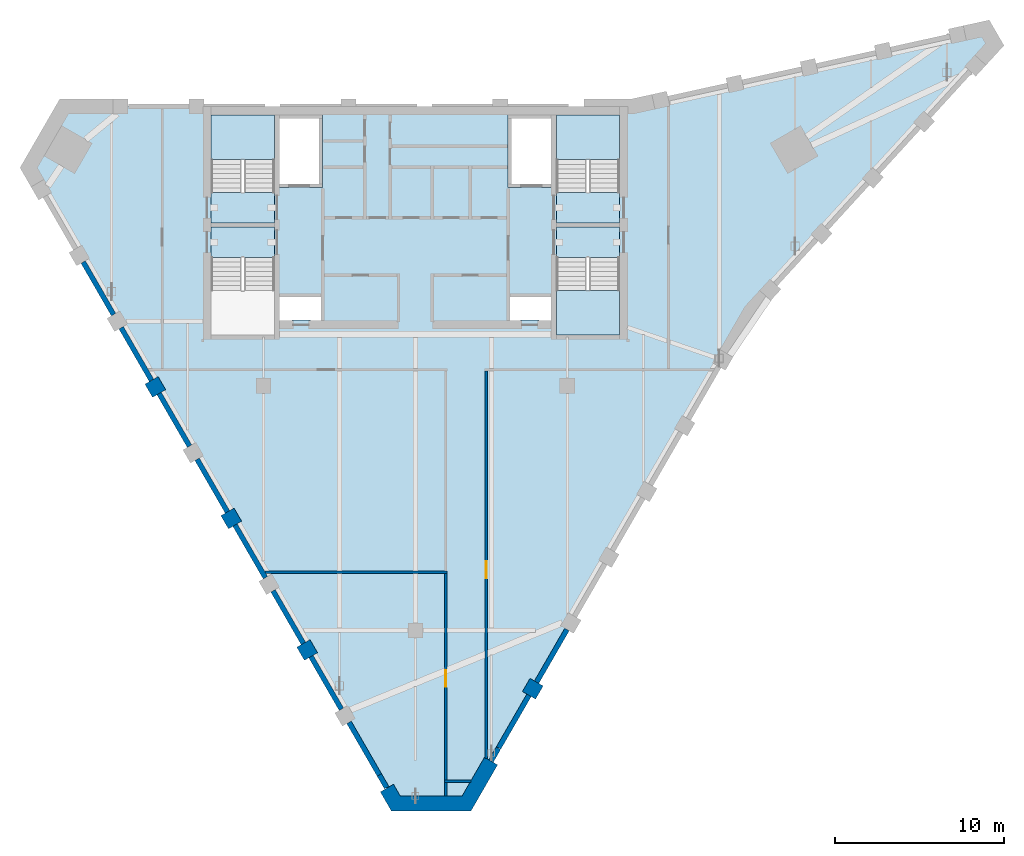
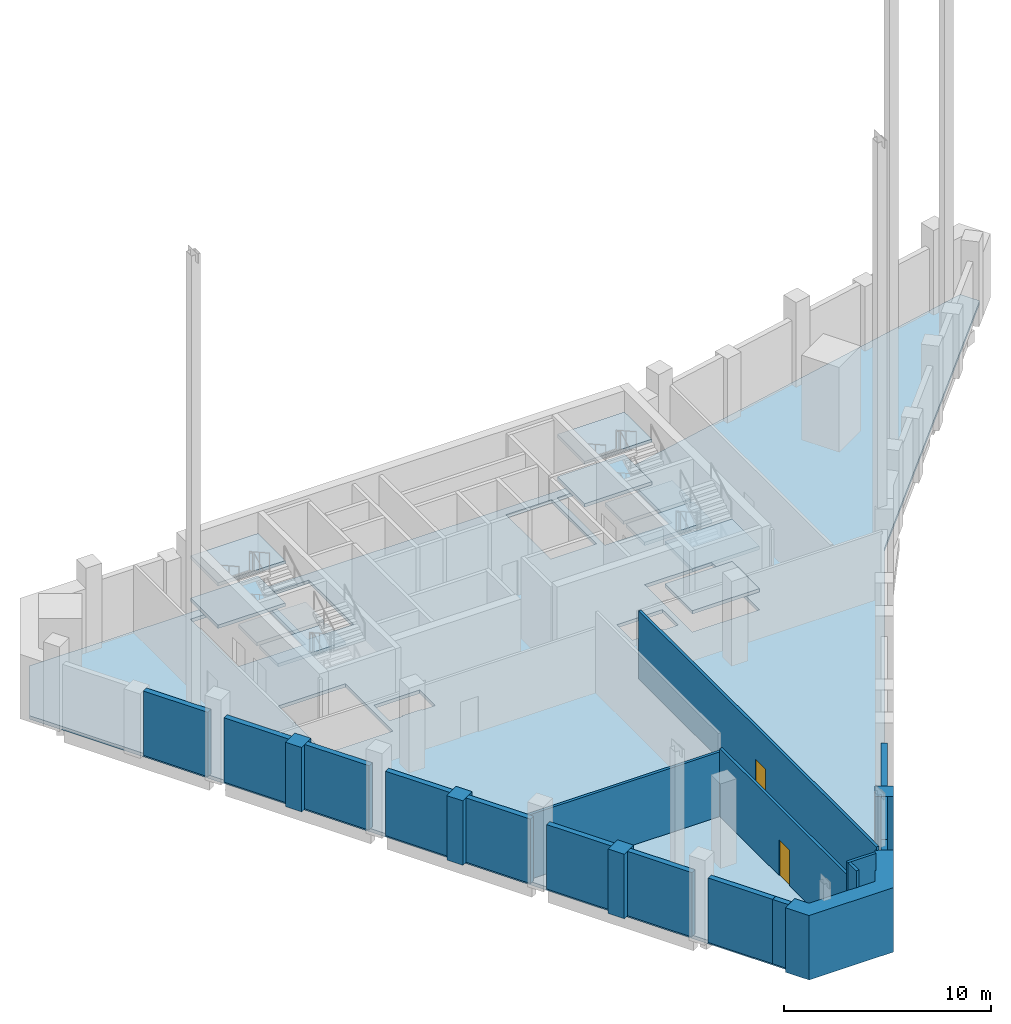
# One storey, part 4 of 11: 22 walls, 11 slabs, 2 doors, 2 openings, 4 elements without a shape of their own.
"""IFC4 building model written with IfcOpenShell, lengths in metres."""

from ifc_helpers import new_model, si_unit, direction, frame, frame_2d, origin, place, context, subcontext, project, spatial, polyline, rectangle, outline, extrude, material, layer, layer_set, type_object, element, fill, aggregate, save


model = new_model("IFC4")

# Units and contexts
model_context = context("Model", 3, precision=1e-05, world=origin(), true_north=direction((0.0, 1.0)))
body_context = subcontext(model_context, "Body", "Model", "MODEL_VIEW")
ifc_project = project(units=[si_unit("LENGTHUNIT", "METRE"), si_unit("AREAUNIT", "SQUARE_METRE"), si_unit("VOLUMEUNIT", "CUBIC_METRE"), si_unit("PLANEANGLEUNIT", "RADIAN"), si_unit("MASSUNIT", "GRAM", prefix="KILO")], contexts=[model_context])

# Site, building, storey
site_placement = place(None, origin())
site = spatial("IfcSite", under=ifc_project, at=site_placement, CompositionType="ELEMENT")
building_placement = place(site_placement, origin())
building = spatial("IfcBuilding", under=site, at=building_placement, Name="Calabash Gate Tower", CompositionType="ELEMENT")
storey_placement = place(building_placement, frame((0.0, 0.0, 310.5)))
storey = spatial("IfcBuildingStorey", under=building, at=storey_placement, Name="L73", CompositionType="ELEMENT", Elevation=310.5)

# Slab
ifc_material_1 = material(Name="Concrete C40/50", Category="concrete")
ifc_layer_1 = layer(ifc_material_1, 0.199951171875)
ifc_layer_set_1 = layer_set([ifc_layer_1], Name="Reinforced concrete floor slab 200 Concrete C40/50")
slab_type_1 = type_object("IfcSlabType", Name="Reinforced concrete floor slab 200 Concrete C40/50", PredefinedType="FLOOR", material=ifc_layer_set_1)
slab_1_placement = place(storey_placement, frame((0.0, 0.0, -0.199951171875)))
element("IfcSlab", 1, at=slab_1_placement, inside=storey, type_object=slab_type_1, Name="Floor slab L73", PredefinedType="FLOOR", context=body_context, shape_type="SweptSolid", body=[
    extrude(outline(polyline([(-20.812744140625, 19.052490234375), (12.88134765625, 19.052490234375), (33.783935546875, 23.664794921875), (34.326904296875, 22.724365234375), (19.88134765625, 6.92822265625), (3.034423828125, -22.251953125), (-1.16259765625, -22.251953125), (-22.9111328125, 15.41796875), (-20.812744140625, 19.052490234375)]), holes=[polyline([(-8.050048828125, 18.552490234375), (-8.050048828125, 14.252685546875), (-5.5, 14.252685546875), (-5.5, 18.552490234375), (-8.050048828125, 18.552490234375)]), polyline([(8.050048828125, 18.552490234375), (5.5, 18.552490234375), (5.5, 14.252685546875), (8.050048828125, 14.252685546875), (8.050048828125, 18.552490234375)]), polyline([(-8.35009765625, 18.552490234375), (-12.10009765625, 18.552490234375), (-12.10009765625, 13.95263671875), (-8.35009765625, 13.95263671875), (-8.35009765625, 18.552490234375)]), polyline([(-12.10009765625, 10.1025390625), (-12.10009765625, 5.502685546875), (-8.35009765625, 5.502685546875), (-8.35009765625, 10.1025390625), (-12.10009765625, 10.1025390625)]), polyline([(8.35009765625, 13.95263671875), (12.10009765625, 13.95263671875), (12.10009765625, 18.552490234375), (8.35009765625, 18.552490234375), (8.35009765625, 13.95263671875)]), polyline([(12.10009765625, 5.502685546875), (12.10009765625, 10.1025390625), (8.35009765625, 10.1025390625), (8.35009765625, 5.502685546875), (12.10009765625, 5.502685546875)]), polyline([(-7.324951171875, 6.3525390625), (-7.324951171875, 6.402587890625), (-6.22509765625, 6.402587890625), (-6.22509765625, 6.3525390625), (-5.5, 6.3525390625), (-5.5, 7.8525390625), (-8.050048828125, 7.8525390625), (-8.050048828125, 6.3525390625), (-7.324951171875, 6.3525390625)]), polyline([(5.5, 6.3525390625), (6.22509765625, 6.3525390625), (6.22509765625, 6.402587890625), (7.324951171875, 6.402587890625), (7.324951171875, 6.3525390625), (8.050048828125, 6.3525390625), (8.050048828125, 7.8525390625), (5.5, 7.8525390625), (5.5, 6.3525390625)])]), origin(), (0.0, 0.0, 1.0), 0.199951171875),
])

# Stair, slabs
ifc_material_2 = material(Name="Concrete C40/50", Category="concrete")
stair_type = type_object("IfcStairType", Name="Exit stair 32 risers of 156.2 mm", PredefinedType="HALF_TURN_STAIR", material=ifc_material_2)
stair_1_placement = place(storey_placement, origin())
stair_1 = element("IfcStair", 2, at=stair_1_placement, inside=storey, type_object=stair_type, Name="L73 Exit stair ST1", PredefinedType="HALF_TURN_STAIR")
ifc_material_3 = material(Name="Concrete C40/50", Category="concrete")
ifc_layer_2 = layer(ifc_material_3, 0.199951171875)
ifc_layer_set_2 = layer_set([ifc_layer_2], Name="Stair landing SL200")
slab_type_2 = type_object("IfcSlabType", Name="Stair landing SL200", PredefinedType="LANDING", material=ifc_layer_set_2)
slab_2_placement = place(storey_placement, frame((0.0, 0.0, 1.050048828125)))
slab_2 = element("IfcSlab", 3, at=slab_2_placement, type_object=slab_type_2, Name="ST1 landing 1", PredefinedType="LANDING", context=body_context, shape_type="SweptSolid", body=[
    extrude(outline(polyline([(-8.35009765625, 15.905517578125), (-8.35009765625, 18.552490234375), (-12.10009765625, 18.552490234375), (-12.10009765625, 15.905517578125), (-8.35009765625, 15.905517578125)])), origin(), (0.0, 0.0, 1.0), 0.199951171875),
])
slab_3_placement = place(storey_placement, frame((0.0, 0.0, 2.300048828125)))
slab_3 = element("IfcSlab", 4, at=slab_3_placement, type_object=slab_type_2, Name="ST1 landing 2", PredefinedType="LANDING", context=body_context, shape_type="SweptSolid", body=[
    extrude(outline(polyline([(-8.35009765625, 12.152587890625), (-8.35009765625, 13.95263671875), (-12.10009765625, 13.95263671875), (-12.10009765625, 12.152587890625), (-8.35009765625, 12.152587890625)])), origin(), (0.0, 0.0, 1.0), 0.199951171875),
])
slab_4_placement = place(storey_placement, frame((0.0, 0.0, 3.550048828125)))
slab_4 = element("IfcSlab", 5, at=slab_4_placement, type_object=slab_type_2, Name="ST1 landing 3", PredefinedType="LANDING", context=body_context, shape_type="SweptSolid", body=[
    extrude(outline(polyline([(-8.35009765625, 15.905517578125), (-8.35009765625, 18.552490234375), (-12.10009765625, 18.552490234375), (-12.10009765625, 15.905517578125), (-8.35009765625, 15.905517578125)])), origin(), (0.0, 0.0, 1.0), 0.199951171875),
])
aggregate(stair_1, [slab_2, slab_3, slab_4])

# Stair, slab
stair_2_placement = place(storey_placement, origin())
stair_2 = element("IfcStair", 6, at=stair_2_placement, inside=storey, type_object=stair_type, Name="L73 Exit stair ST2", PredefinedType="HALF_TURN_STAIR")
slab_5_placement = place(storey_placement, frame((0.0, 0.0, 2.300048828125)))
slab_5 = element("IfcSlab", 7, at=slab_5_placement, type_object=slab_type_2, Name="ST2 landing 2", PredefinedType="LANDING", context=body_context, shape_type="SweptSolid", body=[
    extrude(outline(polyline([(-12.10009765625, 11.902587890625), (-12.10009765625, 10.1025390625), (-8.35009765625, 10.1025390625), (-8.35009765625, 11.902587890625), (-12.10009765625, 11.902587890625)])), origin(), (0.0, 0.0, 1.0), 0.199951171875),
])
aggregate(stair_2, [slab_5])

# Stair, slabs
stair_3_placement = place(storey_placement, origin())
stair_3 = element("IfcStair", 8, at=stair_3_placement, inside=storey, type_object=stair_type, Name="L73 Exit stair ST3", PredefinedType="HALF_TURN_STAIR")
slab_6_placement = place(storey_placement, frame((0.0, 0.0, 1.050048828125)))
slab_6 = element("IfcSlab", 9, at=slab_6_placement, type_object=slab_type_2, Name="ST3 landing 1", PredefinedType="LANDING", context=body_context, shape_type="SweptSolid", body=[
    extrude(outline(polyline([(12.10009765625, 15.905517578125), (12.10009765625, 18.552490234375), (8.35009765625, 18.552490234375), (8.35009765625, 15.905517578125), (12.10009765625, 15.905517578125)])), origin(), (0.0, 0.0, 1.0), 0.199951171875),
])
slab_7_placement = place(storey_placement, frame((0.0, 0.0, 2.300048828125)))
slab_7 = element("IfcSlab", 10, at=slab_7_placement, type_object=slab_type_2, Name="ST3 landing 2", PredefinedType="LANDING", context=body_context, shape_type="SweptSolid", body=[
    extrude(outline(polyline([(12.10009765625, 12.152587890625), (12.10009765625, 13.95263671875), (8.35009765625, 13.95263671875), (8.35009765625, 12.152587890625), (12.10009765625, 12.152587890625)])), origin(), (0.0, 0.0, 1.0), 0.199951171875),
])
slab_8_placement = place(storey_placement, frame((0.0, 0.0, 3.550048828125)))
slab_8 = element("IfcSlab", 11, at=slab_8_placement, type_object=slab_type_2, Name="ST3 landing 3", PredefinedType="LANDING", context=body_context, shape_type="SweptSolid", body=[
    extrude(outline(polyline([(12.10009765625, 15.905517578125), (12.10009765625, 18.552490234375), (8.35009765625, 18.552490234375), (8.35009765625, 15.905517578125), (12.10009765625, 15.905517578125)])), origin(), (0.0, 0.0, 1.0), 0.199951171875),
])
aggregate(stair_3, [slab_6, slab_7, slab_8])

stair_4_placement = place(storey_placement, origin())
stair_4 = element("IfcStair", 12, at=stair_4_placement, inside=storey, type_object=stair_type, Name="L73 Exit stair ST4", PredefinedType="HALF_TURN_STAIR")
slab_9_placement = place(storey_placement, frame((0.0, 0.0, 1.050048828125)))
slab_9 = element("IfcSlab", 13, at=slab_9_placement, type_object=slab_type_2, Name="ST4 landing 1", PredefinedType="LANDING", context=body_context, shape_type="SweptSolid", body=[
    extrude(outline(polyline([(8.35009765625, 8.149658203125), (8.35009765625, 5.502685546875), (12.10009765625, 5.502685546875), (12.10009765625, 8.149658203125), (8.35009765625, 8.149658203125)])), origin(), (0.0, 0.0, 1.0), 0.199951171875),
])
slab_10_placement = place(storey_placement, frame((0.0, 0.0, 2.300048828125)))
slab_10 = element("IfcSlab", 14, at=slab_10_placement, type_object=slab_type_2, Name="ST4 landing 2", PredefinedType="LANDING", context=body_context, shape_type="SweptSolid", body=[
    extrude(outline(polyline([(8.35009765625, 11.902587890625), (8.35009765625, 10.1025390625), (12.10009765625, 10.1025390625), (12.10009765625, 11.902587890625), (8.35009765625, 11.902587890625)])), origin(), (0.0, 0.0, 1.0), 0.199951171875),
])
slab_11_placement = place(storey_placement, frame((0.0, 0.0, 3.550048828125)))
slab_11 = element("IfcSlab", 15, at=slab_11_placement, type_object=slab_type_2, Name="ST4 landing 3", PredefinedType="LANDING", context=body_context, shape_type="SweptSolid", body=[
    extrude(outline(polyline([(8.35009765625, 8.149658203125), (8.35009765625, 5.502685546875), (12.10009765625, 5.502685546875), (12.10009765625, 8.149658203125), (8.35009765625, 8.149658203125)])), origin(), (0.0, 0.0, 1.0), 0.199951171875),
])
aggregate(stair_4, [slab_9, slab_10, slab_11])

# Walls
ifc_material_4 = material(Name="Terracotta brick masonry, exposed face", Category="masonry")
ifc_layer_3 = layer(ifc_material_4, 0.89990234375)
ifc_layer_set_3 = layer_set([ifc_layer_3], Name="Brick end wall 900")
wall_type_1 = type_object("IfcWallType", Name="Brick end wall 900", PredefinedType="SOLIDWALL", material=ifc_layer_set_3)
for number, where, z_axis, x_axis, name in (
    (16, (-15.022216796875, 2.65380859375, 0.0), (0.0, 0.0, 1.0), (-0.865896406789, -0.500223362819, 0.0), "Brick pier L73 crown1.3"),
    (17, (-11.136962890625, -4.975830078125, 0.0), (0.0, 0.0, 1.0), (0.500223362819, -0.865896406789, 0.0), "Brick pier L73 crown1.5"),
):
    element("IfcWall", number, at=place(storey_placement, frame(where, z_axis=z_axis, x_axis=x_axis)), inside=storey, type_object=wall_type_1, Name=name, PredefinedType="SOLIDWALL", context=body_context, shape_type="SweptSolid", body=[
        extrude(rectangle(XDim=0.89990234375, YDim=0.89990234375, at=frame_2d((0.449951171875, 0.0))), origin(), (0.0, 0.0, 1.0), 3.800048828125),
    ])
for number, where, z_axis, x_axis, name in (
    (18, (-6.186767578125, -13.549560546875, 0.0), (0.0, 0.0, 1.0), (-0.500105887137, 0.865964261186, 0.0), "Brick pier L73 crown1.7"),
    (19, (7.34765625, -15.68115234375, 0.0), (0.0, 0.0, 1.0), (-0.865964261186, 0.500105887137, 0.0), "Brick pier L73 crown3.1"),
):
    element("IfcWall", number, at=place(storey_placement, frame(where, z_axis=z_axis, x_axis=x_axis)), inside=storey, type_object=wall_type_1, Name=name, PredefinedType="SOLIDWALL", context=body_context, shape_type="SweptSolid", body=[
        extrude(rectangle(XDim=0.900146484375, YDim=0.89990234375, at=frame_2d((0.4501953125, 0.0))), origin(), (0.0, 0.0, 1.0), 3.800048828125),
    ])
wall_1_placement = place(storey_placement, origin())
element("IfcWall", 20, at=wall_1_placement, inside=storey, type_object=wall_type_1, Name="Brick end wall L73 1", PredefinedType="SOLIDWALL", context=body_context, shape_type="SweptSolid", body=[
    extrude(outline(polyline([(-1.297119140625, -21.11865234375), (-2.07666015625, -21.568603515625), (-1.42236328125, -22.701904296875), (3.294189453125, -22.701904296875), (4.87255859375, -19.9677734375), (4.09326171875, -19.517822265625), (2.7744140625, -21.802001953125), (-0.902587890625, -21.802001953125), (-1.297119140625, -21.11865234375)])), origin(), (0.0, 0.0, 1.0), 3.800048828125),
])
ifc_material_5 = material(Name="Gypsum board on steel studs, mineral wool", Category="steel")
ifc_layer_4 = layer(ifc_material_5, 0.14990234375)
ifc_layer_set_4 = layer_set([ifc_layer_4], Name="Partition 150 gypsum board")
wall_type_2 = type_object("IfcWallType", Name="Partition 150 gypsum board", PredefinedType="PARTITIONING", material=ifc_layer_set_4)
wall_2_placement = place(storey_placement, frame((1.800048828125, -21.82177734375, 0.0), z_axis=(0.0, 0.0, 1.0), x_axis=(0.0, 1.0, 0.0)))
element("IfcWall", 21, at=wall_2_placement, inside=storey, type_object=wall_type_2, Name="Partition", PredefinedType="PARTITIONING", context=body_context, shape_type="SweptSolid", body=[
    extrude(rectangle(XDim=0.79931640625, YDim=0.14990234375, at=frame_2d((0.399658203125, 0.0))), origin(), (0.0, 0.0, 1.0), 4.800048828125),
])
wall_3_placement = place(storey_placement, frame((1.72509765625, -20.947509765625, 0.0), z_axis=(0.0, 0.0, 1.0), x_axis=(1.0, 0.0, 0.0)))
element("IfcWall", 22, at=wall_3_placement, inside=storey, type_object=wall_type_2, Name="Partition", PredefinedType="PARTITIONING", context=body_context, shape_type="SweptSolid", body=[
    extrude(rectangle(XDim=1.562744140625, YDim=0.14990234375, at=frame_2d((0.78125, 0.0))), origin(), (0.0, 0.0, 1.0), 4.800048828125),
])

# Wall, opening, door
wall_4_placement = place(storey_placement, frame((1.800048828125, -20.872314453125, 0.0), z_axis=(0.0, 0.0, 1.0), x_axis=(0.0, 1.0, 0.0)))
wall_4 = element("IfcWall", 23, at=wall_4_placement, inside=storey, type_object=wall_type_2, Name="Partition", PredefinedType="PARTITIONING", context=body_context, shape_type="SweptSolid", body=[
    extrude(rectangle(XDim=12.25, YDim=0.14990234375, at=frame_2d((6.125, 0.0))), origin(), (0.0, 0.0, 1.0), 4.02001953125),
])
opening_1_placement = place(wall_4_placement, frame((5.52490234375, 0.0, 0.0)))
opening_1 = element("IfcOpeningElement", 24, at=opening_1_placement, cuts=wall_4, Name="Opening L73-027", PredefinedType="OPENING", context=body_context, shape_type="SweptSolid", body=[
    extrude(rectangle(XDim=1.0, YDim=2.10009765625, at=frame_2d((0.5, 1.050048828125))), frame((0.0, 0.0849609375, 0.0), z_axis=(0.0, -1.0, 0.0), x_axis=(1.0, 0.0, 0.0)), (0.0, 0.0, 1.0), 0.169921875),
])
ifc_material_6 = material(Name="Steel fire door set with fire-resisting glazing", Category="steel")
door_type = type_object("IfcDoorType", Name="Fire door D11 1000x2100 FD60", OperationType="NOTDEFINED", PredefinedType="DOOR", material=ifc_material_6)
door_1_placement = place(opening_1_placement, origin())
door_1 = element("IfcDoor", 25, at=door_1_placement, inside=storey, type_object=door_type, Name="Mechanical Lift Machine Room door", OperationType="SINGLE_SWING_RIGHT", OverallHeight=2.10009765625, OverallWidth=1.0, PredefinedType="DOOR", context=body_context, shape_type="SweptSolid", body=[
    extrude(rectangle(XDim=1.0, YDim=2.10009765625, at=frame_2d((0.5, 1.050048828125))), frame((0.0, 0.02490234375, 0.0), z_axis=(0.0, -1.0, 0.0), x_axis=(1.0, 0.0, 0.0)), (0.0, 0.0, 1.0), 0.050048828125),
])
fill(opening_1, door_1)

wall_5_placement = place(storey_placement, frame((4.199951171875, -19.599609375, 0.0), z_axis=(0.0, 0.0, 1.0), x_axis=(0.0, 1.0, 0.0)))
wall_5 = element("IfcWall", 26, at=wall_5_placement, inside=storey, type_object=wall_type_2, Name="Partition", PredefinedType="PARTITIONING", context=body_context, shape_type="SweptSolid", body=[
    extrude(rectangle(XDim=22.977294921875, YDim=0.14990234375, at=frame_2d((11.48876953125, 0.0))), origin(), (0.0, 0.0, 1.0), 4.02001953125),
])
opening_2_placement = place(wall_5_placement, frame((10.7021484375, 0.0, 0.0)))
opening_2 = element("IfcOpeningElement", 27, at=opening_2_placement, cuts=wall_5, Name="Opening L73-028", PredefinedType="OPENING", context=body_context, shape_type="SweptSolid", body=[
    extrude(rectangle(XDim=1.0, YDim=2.10009765625, at=frame_2d((0.5, 1.050048828125))), frame((0.0, 0.0849609375, 0.0), z_axis=(0.0, -1.0, 0.0), x_axis=(1.0, 0.0, 0.0)), (0.0, 0.0, 1.0), 0.169921875),
])
door_2_placement = place(opening_2_placement, origin())
door_2 = element("IfcDoor", 28, at=door_2_placement, inside=storey, type_object=door_type, Name="Water Tank Room door", OperationType="SINGLE_SWING_RIGHT", OverallHeight=2.10009765625, OverallWidth=1.0, PredefinedType="DOOR", context=body_context, shape_type="SweptSolid", body=[
    extrude(rectangle(XDim=1.0, YDim=2.10009765625, at=frame_2d((0.5, 1.050048828125))), frame((0.0, 0.02490234375, 0.0), z_axis=(0.0, -1.0, 0.0), x_axis=(1.0, 0.0, 0.0)), (0.0, 0.0, 1.0), 0.050048828125),
])
fill(opening_2, door_2)

# Walls
wall_6_placement = place(storey_placement, frame((-8.921630859375, -8.54736328125, 0.0), z_axis=(0.0, 0.0, 1.0), x_axis=(1.0, 0.0, 0.0)))
element("IfcWall", 29, at=wall_6_placement, inside=storey, type_object=wall_type_2, Name="Partition", PredefinedType="PARTITIONING", context=body_context, shape_type="SweptSolid", body=[
    extrude(rectangle(XDim=10.796630859375, YDim=0.14990234375, at=frame_2d((5.3984375, 0.0))), origin(), (0.0, 0.0, 1.0), 3.811767578125),
])
ifc_material_7 = material(Name="Terracotta louvre blades in an aluminium frame", Category="masonry")
ifc_layer_5 = layer(ifc_material_7, 0.300048828125)
ifc_layer_set_5 = layer_set([ifc_layer_5], Name="Terracotta louvre wall 300")
wall_type_3 = type_object("IfcWallType", Name="Terracotta louvre wall 300", PredefinedType="ELEMENTEDWALL", material=ifc_layer_set_5)
for number, where, z_axis, x_axis, name in (
    (30, (-19.686767578125, 9.833251953125, 0.0), (0.0, 0.0, 1.0), (0.499961193289, -0.866047807691, 0.0), "LOUVRE L73 crown1.2"),
    (31, (-17.436767578125, 5.93603515625, 0.0), (0.0, 0.0, 1.0), (0.499961193289, -0.866047807691, 0.0), "LOUVRE L73 crown1.3"),
):
    element("IfcWall", number, at=place(storey_placement, frame(where, z_axis=z_axis, x_axis=x_axis)), inside=storey, type_object=wall_type_3, Name=name, PredefinedType="ELEMENTEDWALL", context=body_context, shape_type="SweptSolid", body=[
        extrude(rectangle(XDim=3.599853515625, YDim=0.300048828125, at=frame_2d((1.7998046875, 0.0))), origin(), (0.0, 0.0, 1.0), 3.800048828125),
    ])
wall_7_placement = place(storey_placement, origin())
element("IfcWall", 32, at=wall_7_placement, inside=storey, type_object=wall_type_3, Name="LOUVRE L73 crown1.4", PredefinedType="ELEMENTEDWALL", context=body_context, shape_type="SweptSolid", body=[
    extrude(outline(polyline([(-15.316650390625, 1.964111328125), (-13.51708984375, -1.1533203125), (-13.257080078125, -1.00341796875), (-15.056884765625, 2.114013671875), (-15.316650390625, 1.964111328125)])), origin(), (0.0, 0.0, 1.0), 3.800048828125),
])
for number, where, z_axis, x_axis, name in (
    (33, (-12.936767578125, -1.858154296875, 0.0), (0.0, 0.0, 1.0), (0.499961193289, -0.866047807691, 0.0), "LOUVRE L73 crown1.5"),
    (34, (-10.686767578125, -5.755126953125, 0.0), (0.0, 0.0, 1.0), (0.499961193289, -0.866047807691, 0.0), "LOUVRE L73 crown1.6"),
    (35, (-8.436767578125, -9.65234375, 0.0), (0.0, 0.0, 1.0), (0.499961193289, -0.866047807691, 0.0), "LOUVRE L73 crown1.7"),
    (36, (-6.186767578125, -13.549560546875, 0.0), (0.0, 0.0, 1.0), (0.499961193289, -0.866047807691, 0.0), "LOUVRE L73 crown1.8"),
    (37, (-3.936767578125, -17.446533203125, 0.0), (0.0, 0.0, 1.0), (0.499961193289, -0.866047807691, 0.0), "LOUVRE L73 crown1.9"),
):
    element("IfcWall", number, at=place(storey_placement, frame(where, z_axis=z_axis, x_axis=x_axis)), inside=storey, type_object=wall_type_3, Name=name, PredefinedType="ELEMENTEDWALL", context=body_context, shape_type="SweptSolid", body=[
        extrude(rectangle(XDim=3.599853515625, YDim=0.300048828125, at=frame_2d((1.7998046875, 0.0))), origin(), (0.0, 0.0, 1.0), 3.800048828125),
    ])
for number, where, z_axis, x_axis, name in (
    (38, (4.932861328125, -18.96337890625, 0.0), (0.0, 0.0, 1.0), (0.500012057535, 0.866018442252, 0.0), "LOUVRE L73 crown3.1"),
    (39, (7.182861328125, -15.06640625, 0.0), (0.0, 0.0, 1.0), (0.500012057535, 0.866018442252, 0.0), "LOUVRE L73 crown3.2"),
):
    element("IfcWall", number, at=place(storey_placement, frame(where, z_axis=z_axis, x_axis=x_axis)), inside=storey, type_object=wall_type_3, Name=name, PredefinedType="ELEMENTEDWALL", context=body_context, shape_type="SweptSolid", body=[
        extrude(rectangle(XDim=3.60009765625, YDim=0.300048828125, at=frame_2d((1.800048828125, 0.0))), origin(), (0.0, 0.0, 1.0), 3.800048828125),
    ])
wall_8_placement = place(storey_placement, frame((-1.701171875, -21.31884765625, 0.0), z_axis=(0.0, 0.0, 1.0), x_axis=(-0.499893013529, 0.866087163642, 0.0)))
element("IfcWall", 40, at=wall_8_placement, inside=storey, type_object=wall_type_3, Name="LOUVRE L73 edge crown1.c1", PredefinedType="ELEMENTEDWALL", context=body_context, shape_type="SweptSolid", body=[
    extrude(rectangle(XDim=0.867431640625, YDim=0.300048828125, at=frame_2d((0.43359375, 0.0))), origin(), (0.0, 0.0, 1.0), 3.800048828125),
])
wall_9_placement = place(storey_placement, frame((4.48486328125, -19.739501953125, 0.0), z_axis=(0.0, 0.0, 1.0), x_axis=(0.500127794843, 0.865951608824, 0.0)))
element("IfcWall", 41, at=wall_9_placement, inside=storey, type_object=wall_type_3, Name="LOUVRE L73 edge crown3.c2", PredefinedType="ELEMENTEDWALL", context=body_context, shape_type="SweptSolid", body=[
    extrude(rectangle(XDim=0.868896484375, YDim=0.300048828125, at=frame_2d((0.4345703125, 0.0))), origin(), (0.0, 0.0, 1.0), 3.800048828125),
])

save(model, "model.ifc")
